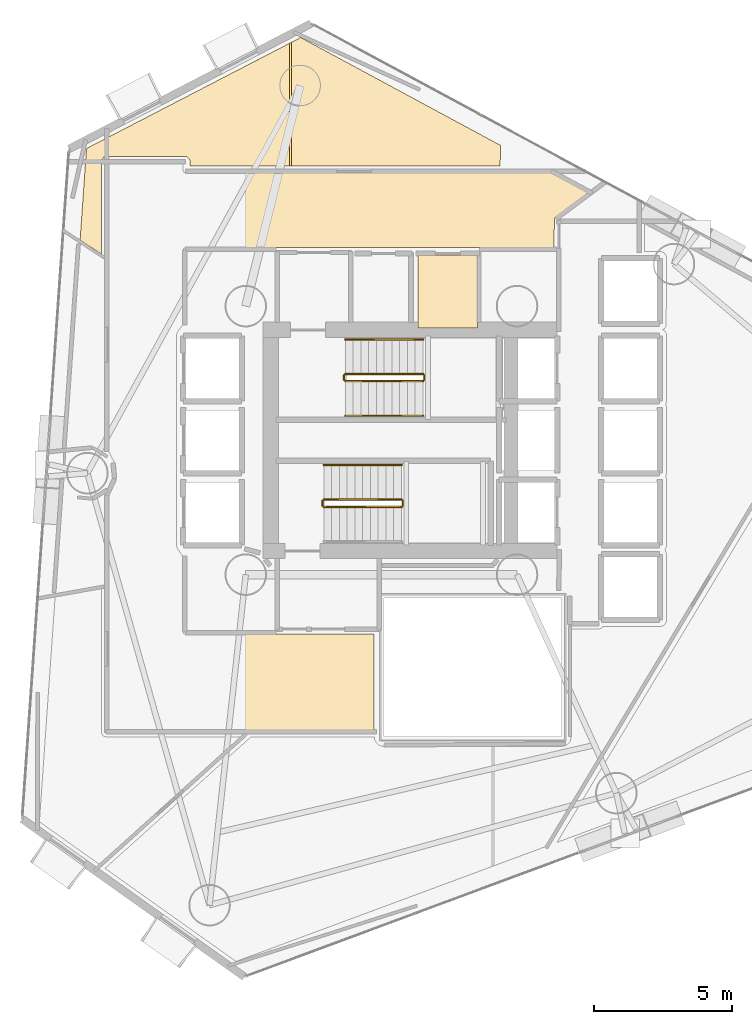
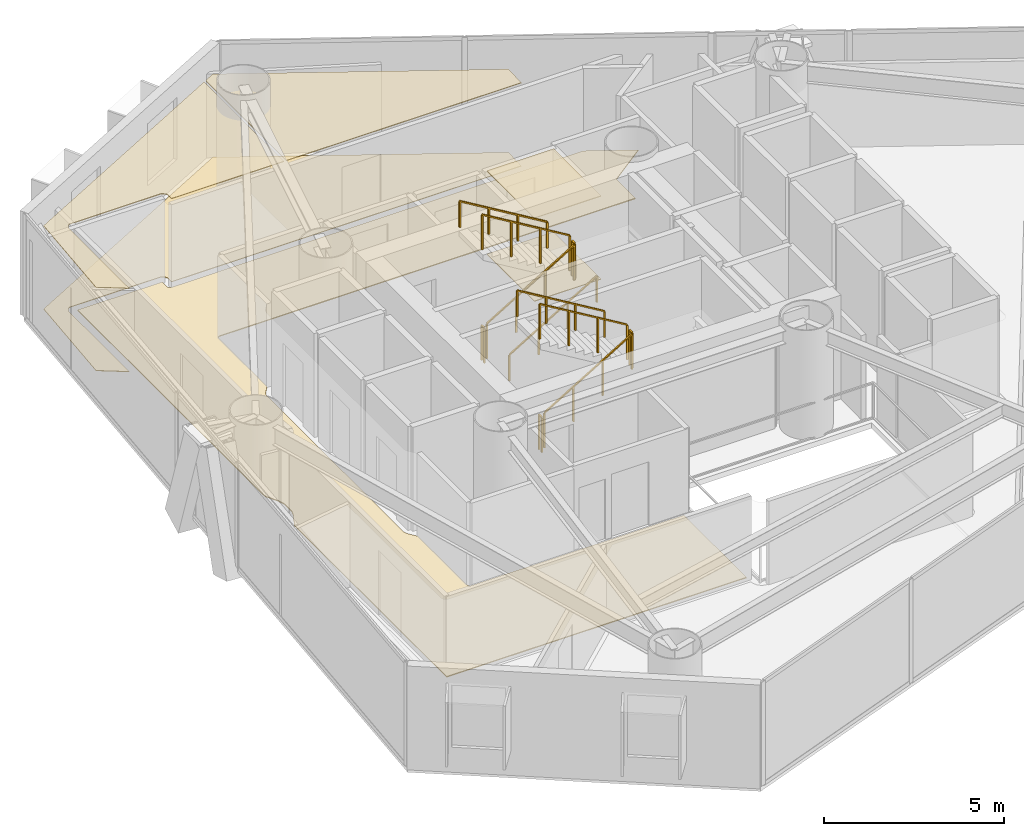
# One storey, part 20 of 21: 11 railings, 6 coverings.
"""IFC4 building model written with IfcOpenShell, lengths in metres."""

from ifc_helpers import new_model, si_unit, direction, frame, origin, origin_2d, place, context, subcontext, project, spatial, polyline, rectangle, outline, extrude, material, layer, layer_set, type_object, element, save


model = new_model("IFC4")

# Units and contexts
model_context = context("Model", 3, precision=1e-05, world=origin(), true_north=direction((0.0, 1.0)))
body_context = subcontext(model_context, "Body", "Model", "MODEL_VIEW")
ifc_project = project(units=[si_unit("LENGTHUNIT", "METRE"), si_unit("AREAUNIT", "SQUARE_METRE"), si_unit("VOLUMEUNIT", "CUBIC_METRE"), si_unit("PLANEANGLEUNIT", "RADIAN"), si_unit("MASSUNIT", "GRAM", prefix="KILO")], contexts=[model_context])

# Site, building, storey
site_placement = place(None, origin())
site = spatial("IfcSite", under=ifc_project, at=site_placement, CompositionType="ELEMENT")
building_placement = place(site_placement, origin())
building = spatial("IfcBuilding", under=site, at=building_placement, Name="Qianvela Tower", CompositionType="ELEMENT")
storey_placement = place(building_placement, frame((0.0, 0.0, 127.39990234375)))
storey = spatial("IfcBuildingStorey", under=building, at=storey_placement, Name="L32", CompositionType="ELEMENT", Elevation=127.39990234375)

# Coverings
ifc_material_1 = material(Name="Perforated Mineral Acoustic Ceiling Tile")
ifc_layer_1 = layer(ifc_material_1, 0.02490234375)
ifc_layer_set_1 = layer_set([ifc_layer_1], Name="Perforated Mineral Acoustic Ceiling Tile")
covering_type_1 = type_object("IfcCoveringType", Name="COV-CEIL-ACOUSTIC-25", PredefinedType="CEILING", material=ifc_layer_set_1)
covering_1_placement = place(storey_placement, frame((0.0, 0.0, 2.815185546875)))
element("IfcCovering", 1, at=covering_1_placement, inside=storey, type_object=covering_type_1, Name="L32 Acoustic Ceiling L32 Core Tea Pantry", PredefinedType="CEILING", context=body_context, shape_type="SweptSolid", body=[
    extrude(outline(polyline([(36.969970703125, 32.760009765625), (34.830078125, 32.760009765625), (34.830078125, 35.39990234375), (36.969970703125, 35.39990234375), (36.969970703125, 32.760009765625)])), origin(), (0.0, 0.0, 1.0), 0.02490234375),
])
covering_2_placement = place(storey_placement, frame((0.0, 0.0, 2.815185546875)))
element("IfcCovering", 2, at=covering_2_placement, inside=storey, type_object=covering_type_1, Name="L32 Acoustic Ceiling Bay 1 Quiet Reading Study L32-02", PredefinedType="CEILING", context=body_context, shape_type="SweptSolid", body=[
    extrude(outline(polyline([(26.57958984375, 38.610107421875), (26.57861328125, 38.81591796875), (26.577880859375, 38.82421875), (26.57666015625, 38.83251953125), (26.574462890625, 38.840576171875), (26.571533203125, 38.84814453125), (26.567626953125, 38.855712890625), (26.563232421875, 38.862548828125), (26.55810546875, 38.868896484375), (26.55224609375, 38.875), (26.481689453125, 38.93896484375), (26.475830078125, 38.943603515625), (26.4697265625, 38.94775390625), (26.46337890625, 38.951416015625), (26.45654296875, 38.954345703125), (26.44970703125, 38.95654296875), (26.4423828125, 38.958251953125), (26.43505859375, 38.959228515625), (26.427734375, 38.959716796875), (23.526611328125, 38.95654296875), (23.518310546875, 38.9560546875), (23.51025390625, 38.954833984375), (23.502197265625, 38.95263671875), (23.494384765625, 38.94970703125), (23.487060546875, 38.946044921875), (23.480224609375, 38.941650390625), (23.4736328125, 38.936279296875), (23.4677734375, 38.9306640625), (23.46240234375, 38.92431640625), (23.40576171875, 38.84765625), (23.40087890625, 38.840576171875), (23.397216796875, 38.8330078125), (23.39404296875, 38.8251953125), (23.391845703125, 38.81689453125), (23.390380859375, 38.80859375), (23.389892578125, 38.800048828125), (23.389892578125, 35.427490234375), (22.61474609375, 35.9375), (22.84619140625, 39.24609375), (30.17919921875, 43.044921875), (30.17919921875, 38.610107421875), (26.57958984375, 38.610107421875)])), origin(), (0.0, 0.0, 1.0), 0.02490234375),
])
covering_3_placement = place(storey_placement, frame((0.0, 0.0, 2.815185546875)))
element("IfcCovering", 3, at=covering_3_placement, inside=storey, type_object=covering_type_1, Name="L32 Acoustic Ceiling Bay 2 Quiet Reading Study L32-02", PredefinedType="CEILING", context=body_context, shape_type="SweptSolid", body=[
    extrude(outline(polyline([(37.81103515625, 39.3544921875), (37.787109375, 38.610107421875), (30.25927734375, 38.610107421875), (30.25927734375, 43.08642578125), (30.583740234375, 43.254638671875), (37.81103515625, 39.3544921875)])), origin(), (0.0, 0.0, 1.0), 0.02490234375),
])
ifc_material_2 = material(Name="Engineered Acoustic Oak Timber Flooring", Category="wood")
ifc_layer_2 = layer(ifc_material_2, 0.02001953125)
ifc_layer_set_2 = layer_set([ifc_layer_2], Name="Engineered Acoustic Oak Timber Flooring")
covering_type_2 = type_object("IfcCoveringType", Name="COV-FLOOR-OAK-20", PredefinedType="FLOORING", material=ifc_layer_set_2)
covering_4_placement = place(storey_placement, origin())
element("IfcCovering", 4, at=covering_4_placement, inside=storey, type_object=covering_type_2, Name="L32 Finish Flooring L32 Core Tea Pantry", PredefinedType="FLOORING", context=body_context, shape_type="SweptSolid", body=[
    extrude(outline(polyline([(36.969970703125, 32.760009765625), (34.830078125, 32.760009765625), (34.830078125, 35.39990234375), (36.969970703125, 35.39990234375), (36.969970703125, 32.760009765625)])), origin(), (0.0, 0.0, 1.0), 0.02001953125),
])
covering_5_placement = place(storey_placement, origin())
element("IfcCovering", 5, at=covering_5_placement, inside=storey, type_object=covering_type_2, Name="L32 Finish Flooring Quiet Reading Study L32-02", PredefinedType="FLOORING", context=body_context, shape_type="SweptSolid", body=[
    extrude(outline(polyline([(30.583740234375, 43.254638671875), (37.81103515625, 39.3544921875), (37.787109375, 38.610107421875), (26.57958984375, 38.610107421875), (26.57861328125, 38.81591796875), (26.577880859375, 38.82421875), (26.57666015625, 38.83251953125), (26.574462890625, 38.840576171875), (26.571533203125, 38.84814453125), (26.567626953125, 38.855712890625), (26.563232421875, 38.862548828125), (26.55810546875, 38.868896484375), (26.55224609375, 38.875), (26.481689453125, 38.93896484375), (26.475830078125, 38.943603515625), (26.4697265625, 38.94775390625), (26.46337890625, 38.951416015625), (26.45654296875, 38.954345703125), (26.44970703125, 38.95654296875), (26.4423828125, 38.958251953125), (26.43505859375, 38.959228515625), (26.427734375, 38.959716796875), (23.526611328125, 38.95654296875), (23.518310546875, 38.9560546875), (23.51025390625, 38.954833984375), (23.502197265625, 38.95263671875), (23.494384765625, 38.94970703125), (23.487060546875, 38.946044921875), (23.480224609375, 38.941650390625), (23.4736328125, 38.936279296875), (23.4677734375, 38.9306640625), (23.46240234375, 38.92431640625), (23.40576171875, 38.84765625), (23.40087890625, 38.840576171875), (23.397216796875, 38.8330078125), (23.39404296875, 38.8251953125), (23.391845703125, 38.81689453125), (23.390380859375, 38.80859375), (23.389892578125, 38.800048828125), (23.389892578125, 35.427490234375), (22.61474609375, 35.9375), (22.84619140625, 39.24609375), (30.583740234375, 43.254638671875)])), origin(), (0.0, 0.0, 1.0), 0.02001953125),
])
ifc_material_3 = material(Name="Honed Stone Terrazzo Flooring", Category="masonry")
ifc_layer_3 = layer(ifc_material_3, 0.030029296875)
ifc_layer_set_3 = layer_set([ifc_layer_3], Name="Honed Stone Terrazzo Flooring")
covering_type_3 = type_object("IfcCoveringType", Name="COV-FLOOR-TERRAZZO-30", PredefinedType="FLOORING", material=ifc_layer_set_3)
covering_6_placement = place(storey_placement, origin())
element("IfcCovering", 6, at=covering_6_placement, inside=storey, type_object=covering_type_3, Name="L32 Finish Flooring L32 Floor Corridor", PredefinedType="FLOORING", context=body_context, shape_type="SweptSolid", body=[
    extrude(outline(polyline([(23.8505859375, 27.910400390625), (23.84814453125, 27.917724609375), (23.8447265625, 27.9248046875), (23.6298828125, 28.32666015625), (23.6298828125, 38.719970703125), (26.340087890625, 38.719970703125), (26.340087890625, 38.449951171875), (26.34033203125, 38.442138671875), (26.341552734375, 38.434326171875), (26.343505859375, 38.4267578125), (26.34619140625, 38.41943359375), (26.349365234375, 38.412353515625), (26.353515625, 38.405517578125), (26.358154296875, 38.399169921875), (26.36328125, 38.393310546875), (26.369140625, 38.38818359375), (26.37548828125, 38.383544921875), (26.38232421875, 38.37939453125), (26.389404296875, 38.376220703125), (26.396728515625, 38.373291015625), (26.404296875, 38.37158203125), (26.412109375, 38.370361328125), (26.419921875, 38.3701171875), (39.63525390625, 38.3701171875), (40.981689453125, 37.643310546875), (39.78076171875, 36.74853515625), (39.7744140625, 36.743408203125), (39.7685546875, 36.737548828125), (39.763427734375, 36.731201171875), (39.759033203125, 36.724365234375), (39.75537109375, 36.717041015625), (39.75244140625, 36.709228515625), (39.750244140625, 36.701416015625), (39.748779296875, 36.693359375), (39.74853515625, 36.685302734375), (39.73876953125, 35.659912109375), (26.419921875, 35.659912109375), (26.412109375, 35.65966796875), (26.404296875, 35.658447265625), (26.396728515625, 35.656494140625), (26.389404296875, 35.65380859375), (26.38232421875, 35.650634765625), (26.37548828125, 35.646484375), (26.369140625, 35.641845703125), (26.36328125, 35.63671875), (26.358154296875, 35.630859375), (26.353515625, 35.62451171875), (26.349365234375, 35.61767578125), (26.34619140625, 35.610595703125), (26.343505859375, 35.603271484375), (26.341552734375, 35.595703125), (26.34033203125, 35.587890625), (26.340087890625, 35.580078125), (26.340087890625, 32.89599609375), (26.139404296875, 32.62548828125), (26.135498046875, 32.61962890625), (26.132080078125, 32.61376953125), (26.12939453125, 32.607421875), (26.126953125, 32.60107421875), (26.103515625, 32.523193359375), (26.1015625, 32.515625), (26.100341796875, 32.5078125), (26.10009765625, 32.5), (26.10009765625, 24.89990234375), (26.100341796875, 24.89208984375), (26.1015625, 24.884521484375), (26.103515625, 24.876708984375), (26.126953125, 24.799072265625), (26.12939453125, 24.79248046875), (26.132080078125, 24.786376953125), (26.135498046875, 24.7802734375), (26.139404296875, 24.774658203125), (26.340087890625, 24.50390625), (26.340087890625, 21.780029296875), (26.34033203125, 21.772216796875), (26.341552734375, 21.764404296875), (26.343505859375, 21.7568359375), (26.34619140625, 21.74951171875), (26.349365234375, 21.7421875), (26.353515625, 21.735595703125), (26.358154296875, 21.729248046875), (26.36328125, 21.723388671875), (26.369140625, 21.71826171875), (26.37548828125, 21.71337890625), (26.38232421875, 21.70947265625), (26.389404296875, 21.7060546875), (26.396728515625, 21.703369140625), (26.404296875, 21.701416015625), (26.412109375, 21.700439453125), (26.419921875, 21.699951171875), (33.239990234375, 21.699951171875), (33.239990234375, 18.22998046875), (23.6298828125, 18.22998046875), (23.6298828125, 26.705322265625), (23.8447265625, 27.107177734375), (23.84814453125, 27.1142578125), (23.8505859375, 27.12158203125), (23.906005859375, 27.303466796875), (23.90771484375, 27.311279296875), (23.908935546875, 27.31884765625), (23.909423828125, 27.326904296875), (23.909423828125, 27.705078125), (23.908935546875, 27.713134765625), (23.90771484375, 27.720703125), (23.906005859375, 27.728515625), (23.8505859375, 27.910400390625)])), origin(), (0.0, 0.0, 1.0), 0.030029296875),
])

# Railings
ifc_material_4 = material(Name="Painted Tubular Steel Q355B", Category="steel")
railing_type_1 = type_object("IfcRailingType", Name="RL-STAIR-GUARD-1200", PredefinedType="GUARDRAIL", material=ifc_material_4)
railing_1_placement = place(storey_placement, frame((32.199951171875, 30.840087890625, 0.168212890625)))
element("IfcRailing", 7, at=railing_1_placement, inside=storey, type_object=railing_type_1, Name="L32 ST-1 stair guard 1", PredefinedType="GUARDRAIL", context=body_context, shape_type="SweptSolid", body=[
    extrude(rectangle(XDim=0.050048828125, YDim=0.0400390625, at=origin_2d()), frame((0.0, 0.0, 1.179931640625), z_axis=(0.857242210791, 0.0, 0.514913383045), x_axis=(0.0, 1.0, 0.0)), (0.0, 0.0, 1.0), 3.266357421875),
    extrude(rectangle(XDim=0.050048828125, YDim=0.050048828125, at=origin_2d()), origin(), (0.0, 0.0, 1.0), 1.159912109375),
    extrude(rectangle(XDim=0.050048828125, YDim=0.050048828125, at=origin_2d()), frame((0.933349609375, 0.0, 0.560546875)), (0.0, 0.0, 1.0), 1.159912109375),
    extrude(rectangle(XDim=0.050048828125, YDim=0.050048828125, at=origin_2d()), frame((1.86669921875, 0.0, 1.121337890625)), (0.0, 0.0, 1.0), 1.159912109375),
    extrude(rectangle(XDim=0.050048828125, YDim=0.050048828125, at=origin_2d()), frame((2.800048828125, 0.0, 1.681884765625)), (0.0, 0.0, 1.0), 1.159912109375),
])
railing_2_placement = place(storey_placement, frame((35.050048828125, 30.889892578125, 1.85009765625)))
element("IfcRailing", 8, at=railing_2_placement, inside=storey, type_object=railing_type_1, Name="L32 ST-1 stair guard 2", PredefinedType="GUARDRAIL", context=body_context, shape_type="SweptSolid", body=[
    extrude(rectangle(XDim=0.050048828125, YDim=0.0400390625, at=origin_2d()), frame((0.0, 0.0, 1.179931640625), z_axis=(0.0, 1.0, 0.0), x_axis=(-1.0, 0.0, 0.0)), (0.0, 0.0, 1.0), 0.16015625),
    extrude(rectangle(XDim=0.050048828125, YDim=0.050048828125, at=origin_2d()), origin(), (0.0, 0.0, 1.0), 1.159912109375),
    extrude(rectangle(XDim=0.050048828125, YDim=0.050048828125, at=origin_2d()), frame((0.0, 0.16015625, 0.0)), (0.0, 0.0, 1.0), 1.159912109375),
])
railing_3_placement = place(storey_placement, frame((35.0, 31.10009765625, 2.018310546875)))
element("IfcRailing", 9, at=railing_3_placement, inside=storey, type_object=railing_type_1, Name="L32 ST-1 stair guard 3", PredefinedType="GUARDRAIL", context=body_context, shape_type="SweptSolid", body=[
    extrude(rectangle(XDim=0.050048828125, YDim=0.0400390625, at=origin_2d()), frame((0.0, 0.0, 1.179931640625), z_axis=(-0.857242210791, 0.0, 0.514913383045), x_axis=(0.0, -1.0, 0.0)), (0.0, 0.0, 1.0), 3.266357421875),
    extrude(rectangle(XDim=0.050048828125, YDim=0.050048828125, at=origin_2d()), origin(), (0.0, 0.0, 1.0), 1.159912109375),
    extrude(rectangle(XDim=0.050048828125, YDim=0.050048828125, at=origin_2d()), frame((-0.933349609375, 0.0, 0.560546875)), (0.0, 0.0, 1.0), 1.159912109375),
    extrude(rectangle(XDim=0.050048828125, YDim=0.050048828125, at=origin_2d()), frame((-1.86669921875, 0.0, 1.121337890625)), (0.0, 0.0, 1.0), 1.159912109375),
    extrude(rectangle(XDim=0.050048828125, YDim=0.050048828125, at=origin_2d()), frame((-2.800048828125, 0.0, 1.681884765625)), (0.0, 0.0, 1.0), 1.159912109375),
])
railing_4_placement = place(storey_placement, frame((32.14990234375, 30.889892578125, 0.0)))
element("IfcRailing", 10, at=railing_4_placement, inside=storey, type_object=railing_type_1, Name="L32 ST-1 stair guard 4", PredefinedType="GUARDRAIL", context=body_context, shape_type="SweptSolid", body=[
    extrude(rectangle(XDim=0.050048828125, YDim=0.0400390625, at=origin_2d()), frame((0.0, 0.0, 1.179931640625), z_axis=(0.0, 1.0, 0.0), x_axis=(-1.0, 0.0, 0.0)), (0.0, 0.0, 1.0), 0.16015625),
    extrude(rectangle(XDim=0.050048828125, YDim=0.050048828125, at=origin_2d()), origin(), (0.0, 0.0, 1.0), 1.159912109375),
    extrude(rectangle(XDim=0.050048828125, YDim=0.050048828125, at=origin_2d()), frame((0.0, 0.16015625, 0.0)), (0.0, 0.0, 1.0), 1.159912109375),
])
railing_5_placement = place(storey_placement, frame((31.419921875, 26.300048828125, 0.168212890625)))
element("IfcRailing", 11, at=railing_5_placement, inside=storey, type_object=railing_type_1, Name="L32 ST-2 stair guard 1", PredefinedType="GUARDRAIL", context=body_context, shape_type="SweptSolid", body=[
    extrude(rectangle(XDim=0.050048828125, YDim=0.0400390625, at=origin_2d()), frame((0.0, 0.0, 1.179931640625), z_axis=(0.857242210791, 0.0, 0.514913383045), x_axis=(0.0, 1.0, 0.0)), (0.0, 0.0, 1.0), 3.266357421875),
    extrude(rectangle(XDim=0.050048828125, YDim=0.050048828125, at=origin_2d()), origin(), (0.0, 0.0, 1.0), 1.159912109375),
    extrude(rectangle(XDim=0.050048828125, YDim=0.050048828125, at=origin_2d()), frame((0.933349609375, 0.0, 0.560546875)), (0.0, 0.0, 1.0), 1.159912109375),
    extrude(rectangle(XDim=0.050048828125, YDim=0.050048828125, at=origin_2d()), frame((1.86669921875, 0.0, 1.121337890625)), (0.0, 0.0, 1.0), 1.159912109375),
    extrude(rectangle(XDim=0.050048828125, YDim=0.050048828125, at=origin_2d()), frame((2.800048828125, 0.0, 1.681884765625)), (0.0, 0.0, 1.0), 1.159912109375),
])
railing_6_placement = place(storey_placement, frame((34.27001953125, 26.35009765625, 1.85009765625)))
element("IfcRailing", 12, at=railing_6_placement, inside=storey, type_object=railing_type_1, Name="L32 ST-2 stair guard 2", PredefinedType="GUARDRAIL", context=body_context, shape_type="SweptSolid", body=[
    extrude(rectangle(XDim=0.050048828125, YDim=0.0400390625, at=origin_2d()), frame((0.0, 0.0, 1.179931640625), z_axis=(0.0, 1.0, 0.0), x_axis=(-1.0, 0.0, 0.0)), (0.0, 0.0, 1.0), 0.159912109375),
    extrude(rectangle(XDim=0.050048828125, YDim=0.050048828125, at=origin_2d()), origin(), (0.0, 0.0, 1.0), 1.159912109375),
    extrude(rectangle(XDim=0.050048828125, YDim=0.050048828125, at=origin_2d()), frame((0.0, 0.159912109375, 0.0)), (0.0, 0.0, 1.0), 1.159912109375),
])
railing_7_placement = place(storey_placement, frame((34.219970703125, 26.56005859375, 2.018310546875)))
element("IfcRailing", 13, at=railing_7_placement, inside=storey, type_object=railing_type_1, Name="L32 ST-2 stair guard 3", PredefinedType="GUARDRAIL", context=body_context, shape_type="SweptSolid", body=[
    extrude(rectangle(XDim=0.050048828125, YDim=0.0400390625, at=origin_2d()), frame((0.0, 0.0, 1.179931640625), z_axis=(-0.857242210791, 0.0, 0.514913383045), x_axis=(0.0, -1.0, 0.0)), (0.0, 0.0, 1.0), 3.266357421875),
    extrude(rectangle(XDim=0.050048828125, YDim=0.050048828125, at=origin_2d()), origin(), (0.0, 0.0, 1.0), 1.159912109375),
    extrude(rectangle(XDim=0.050048828125, YDim=0.050048828125, at=origin_2d()), frame((-0.933349609375, 0.0, 0.560546875)), (0.0, 0.0, 1.0), 1.159912109375),
    extrude(rectangle(XDim=0.050048828125, YDim=0.050048828125, at=origin_2d()), frame((-1.86669921875, 0.0, 1.121337890625)), (0.0, 0.0, 1.0), 1.159912109375),
    extrude(rectangle(XDim=0.050048828125, YDim=0.050048828125, at=origin_2d()), frame((-2.800048828125, 0.0, 1.681884765625)), (0.0, 0.0, 1.0), 1.159912109375),
])
railing_8_placement = place(storey_placement, frame((31.3701171875, 26.35009765625, 0.0)))
element("IfcRailing", 14, at=railing_8_placement, inside=storey, type_object=railing_type_1, Name="L32 ST-2 stair guard 4", PredefinedType="GUARDRAIL", context=body_context, shape_type="SweptSolid", body=[
    extrude(rectangle(XDim=0.050048828125, YDim=0.0400390625, at=origin_2d()), frame((0.0, 0.0, 1.179931640625), z_axis=(0.0, 1.0, 0.0), x_axis=(-1.0, 0.0, 0.0)), (0.0, 0.0, 1.0), 0.159912109375),
    extrude(rectangle(XDim=0.050048828125, YDim=0.050048828125, at=origin_2d()), origin(), (0.0, 0.0, 1.0), 1.159912109375),
    extrude(rectangle(XDim=0.050048828125, YDim=0.050048828125, at=origin_2d()), frame((0.0, 0.159912109375, 0.0)), (0.0, 0.0, 1.0), 1.159912109375),
])
ifc_material_5 = material(Name="Brushed Stainless Steel 304", Category="steel")
railing_type_2 = type_object("IfcRailingType", Name="RL-STAIR-HANDRAIL-900", PredefinedType="HANDRAIL", material=ifc_material_5)
railing_9_placement = place(storey_placement, frame((32.199951171875, 29.590087890625, 0.168212890625)))
element("IfcRailing", 15, at=railing_9_placement, inside=storey, type_object=railing_type_2, Name="L32 ST-1 stair handrail 1", PredefinedType="HANDRAIL", context=body_context, shape_type="SweptSolid", body=[
    extrude(rectangle(XDim=0.050048828125, YDim=0.0400390625, at=origin_2d()), frame((0.0, 0.0, 0.8798828125), z_axis=(0.857242210791, 0.0, 0.514913383045), x_axis=(0.0, 1.0, 0.0)), (0.0, 0.0, 1.0), 3.266357421875),
    extrude(rectangle(XDim=0.050048828125, YDim=0.050048828125, at=origin_2d()), origin(), (0.0, 0.0, 1.0), 0.85986328125),
    extrude(rectangle(XDim=0.050048828125, YDim=0.050048828125, at=origin_2d()), frame((0.933349609375, 0.0, 0.560546875)), (0.0, 0.0, 1.0), 0.85986328125),
    extrude(rectangle(XDim=0.050048828125, YDim=0.050048828125, at=origin_2d()), frame((1.86669921875, 0.0, 1.121337890625)), (0.0, 0.0, 1.0), 0.85986328125),
    extrude(rectangle(XDim=0.050048828125, YDim=0.050048828125, at=origin_2d()), frame((2.800048828125, 0.0, 1.681884765625)), (0.0, 0.0, 1.0), 0.85986328125),
])
for number, where, name in (
    (16, (35.0, 32.35009765625, 2.018310546875), "L32 ST-1 stair handrail 2"),
    (17, (34.219970703125, 27.81005859375, 2.018310546875), "L32 ST-2 stair handrail 2"),
):
    element("IfcRailing", number, at=place(storey_placement, frame(where)), inside=storey, type_object=railing_type_2, Name=name, PredefinedType="HANDRAIL", context=body_context, shape_type="SweptSolid", body=[
        extrude(rectangle(XDim=0.050048828125, YDim=0.0400390625, at=origin_2d()), frame((0.0, 0.0, 0.8798828125), z_axis=(-0.857242210791, 0.0, 0.514913383045), x_axis=(0.0, -1.0, 0.0)), (0.0, 0.0, 1.0), 3.266357421875),
        extrude(rectangle(XDim=0.050048828125, YDim=0.050048828125, at=origin_2d()), origin(), (0.0, 0.0, 1.0), 0.85986328125),
        extrude(rectangle(XDim=0.050048828125, YDim=0.050048828125, at=origin_2d()), frame((-0.933349609375, 0.0, 0.560546875)), (0.0, 0.0, 1.0), 0.85986328125),
        extrude(rectangle(XDim=0.050048828125, YDim=0.050048828125, at=origin_2d()), frame((-1.86669921875, 0.0, 1.121337890625)), (0.0, 0.0, 1.0), 0.85986328125),
        extrude(rectangle(XDim=0.050048828125, YDim=0.050048828125, at=origin_2d()), frame((-2.800048828125, 0.0, 1.681884765625)), (0.0, 0.0, 1.0), 0.85986328125),
    ])

save(model, "model.ifc")
